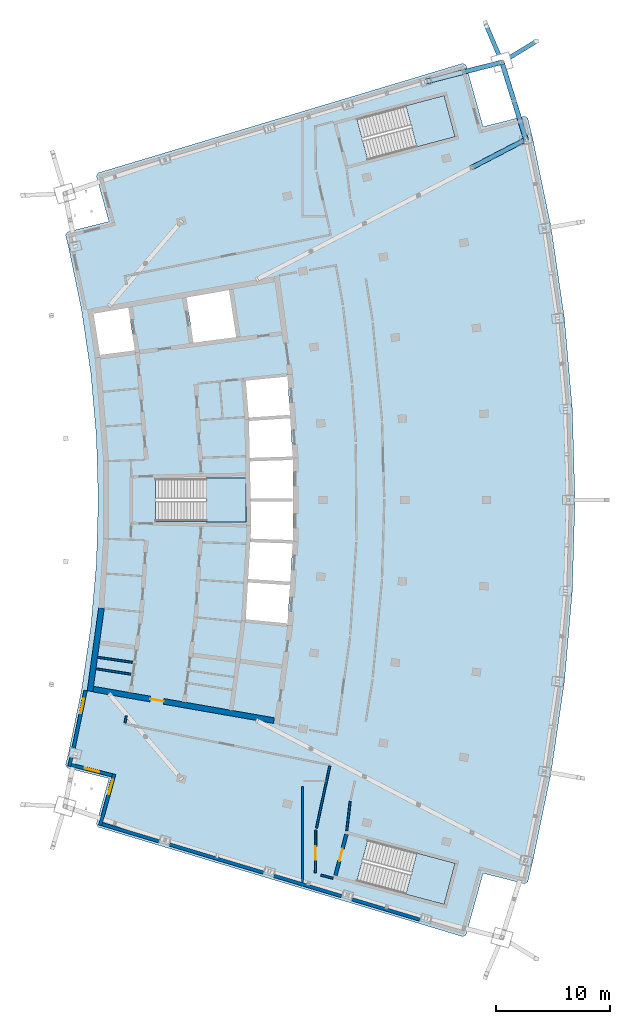
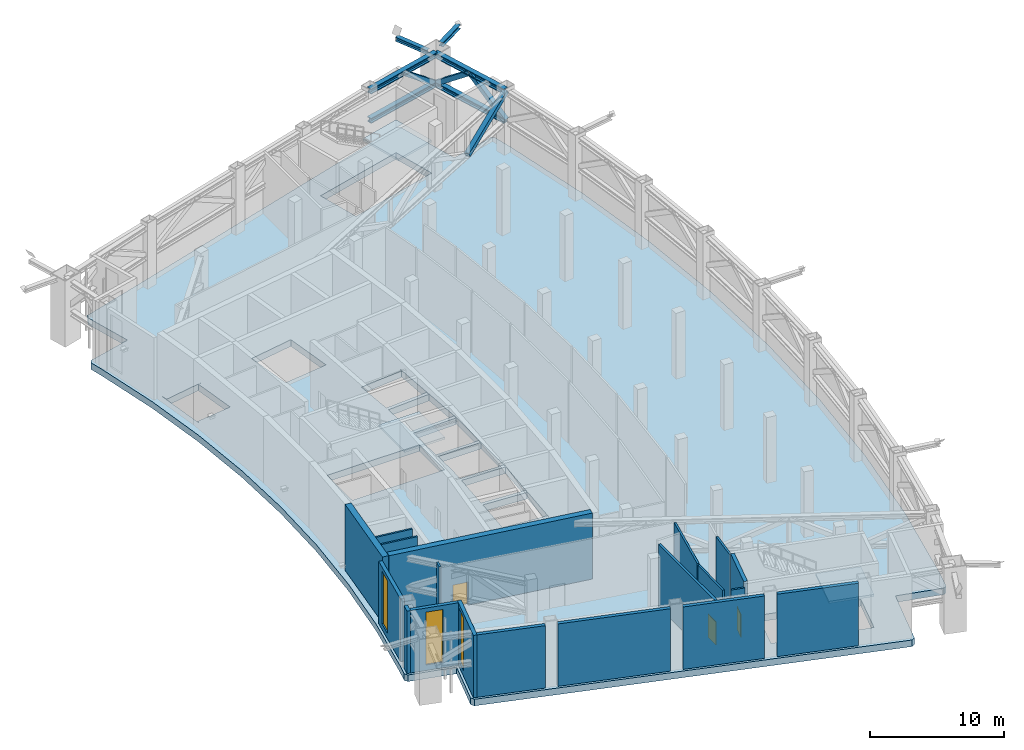
# One storey, part 13 of 23: 19 walls, 10 members, 4 slabs, 3 doors, 3 windows, 6 openings, 3 elements without a shape of their own.
"""IFC4 building model written with IfcOpenShell, lengths in metres."""

from ifc_helpers import new_model, si_unit, direction, frame, frame_2d, origin, origin_2d, place, context, subcontext, project, spatial, polyline, rectangle, hollow_rectangle, i_section, outline, extrude, material, layer, layer_set, material_profile, profile_set, type_object, element, fill, aggregate, save


model = new_model("IFC4")

# Units and contexts
model_context = context("Model", 3, precision=1e-05, world=origin(), true_north=direction((0.0, 1.0)))
body_context = subcontext(model_context, "Body", "Model", "MODEL_VIEW")
ifc_project = project(units=[si_unit("LENGTHUNIT", "METRE"), si_unit("AREAUNIT", "SQUARE_METRE"), si_unit("VOLUMEUNIT", "CUBIC_METRE"), si_unit("PLANEANGLEUNIT", "RADIAN"), si_unit("MASSUNIT", "GRAM", prefix="KILO")], contexts=[model_context])

# Site, building, storey
site_placement = place(None, origin())
site = spatial("IfcSite", under=ifc_project, at=site_placement, CompositionType="ELEMENT")
building_placement = place(site_placement, origin())
building = spatial("IfcBuilding", under=site, at=building_placement, Name="Alderwake Tower", CompositionType="ELEMENT")
storey_placement = place(building_placement, frame((0.0, 0.0, 239.60009765625)))
storey = spatial("IfcBuildingStorey", under=building, at=storey_placement, Name="L59", CompositionType="ELEMENT", Elevation=239.60009765625)

# Members
ifc_material_1 = material(Name="Steel ASTM A992 Grade 50", Category="steel")
ifc_material_profile_1 = material_profile(ifc_material_1, i_section(OverallWidth=0.42138671875, OverallDepth=0.464599609375, WebThickness=0.044921875, FlangeThickness=0.072265625, at=origin_2d()), Name="W14X398")
ifc_profile_set_1 = profile_set([ifc_material_profile_1], Name="Steel ASTM A992 Grade 50")
member_type_1 = type_object("IfcMemberType", Name="Belt truss chord W14X398", PredefinedType="CHORD", material=ifc_profile_set_1)
for number, where, z_axis, x_axis, name in (
    (1, (53.676513671875, 92.77001953125, 5.447509765625), (-0.29684399512, 0.954925988002, 0.0), (-0.954925988002, -0.29684399512, 0.0), "Belt truss chord BT59F11.T"),
    (2, (53.676513671875, 92.77001953125, 2.7822265625), (-0.29684399512, 0.954925988002, 0.0), (-0.954925988002, -0.29684399512, 0.0), "Belt truss chord BT59F11.B"),
):
    element("IfcMember", number, at=place(storey_placement, frame(where, z_axis=z_axis, x_axis=x_axis)), inside=storey, type_object=member_type_1, Name=name, PredefinedType="CHORD", context=body_context, shape_type="SweptSolid", body=[
        extrude(i_section(OverallWidth=0.42138671875, OverallDepth=0.464599609375, WebThickness=0.044921875, FlangeThickness=0.072265625, at=origin_2d()), origin(), (0.0, 0.0, 1.0), 7.112548828125),
    ])
for number, where, z_axis, x_axis, name in (
    (3, (44.872314453125, 97.86376953125, 5.447509765625), (0.969283770073, 0.245945061087, 0.0), (-0.245945061087, 0.969283770073, 0.0), "Belt truss chord BT59E124.T"),
    (4, (44.872314453125, 97.86376953125, 2.7822265625), (0.969283770073, 0.245945061087, 0.0), (-0.245945061087, 0.969283770073, 0.0), "Belt truss chord BT59E124.B"),
):
    element("IfcMember", number, at=place(storey_placement, frame(where, z_axis=z_axis, x_axis=x_axis)), inside=storey, type_object=member_type_1, Name=name, PredefinedType="CHORD", context=body_context, shape_type="SweptSolid", body=[
        extrude(i_section(OverallWidth=0.42138671875, OverallDepth=0.464599609375, WebThickness=0.044921875, FlangeThickness=0.072265625, at=origin_2d()), origin(), (0.0, 0.0, 1.0), 6.905029296875),
    ])
ifc_material_2 = material(Name="Steel ASTM A500 Grade C", Category="steel")
ifc_material_profile_2 = material_profile(ifc_material_2, hollow_rectangle(XDim=0.406494140625, YDim=0.406494140625, WallThickness=0.014892578125, at=origin_2d()), Name="HSS16X16X5/8")
ifc_profile_set_2 = profile_set([ifc_material_profile_2], Name="Steel ASTM A500 Grade C")
member_type_2 = type_object("IfcMemberType", Name="Belt truss diagonal HSS16X16X5/8", PredefinedType="BRACE", material=ifc_profile_set_2)
for number, where, z_axis, x_axis, name in (
    (5, (53.676513671875, 92.77001953125, 2.7822265625), (-0.237537256164, 0.76414043322, 0.599721143743), (-0.954925988002, -0.29684399512, 0.0), "Belt truss diagonal BT59F11.D1"),
    (6, (51.565185546875, 99.56201171875, 2.7822265625), (0.237537256164, -0.76414043322, 0.599721143743), (0.954925988002, 0.29684399512, 0.0), "Belt truss diagonal BT59F11.D2"),
):
    element("IfcMember", number, at=place(storey_placement, frame(where, z_axis=z_axis, x_axis=x_axis)), inside=storey, type_object=member_type_2, Name=name, PredefinedType="BRACE", context=body_context, shape_type="SweptSolid", body=[
        extrude(hollow_rectangle(XDim=0.406494140625, YDim=0.406494140625, WallThickness=0.014892578125, at=origin_2d()), origin(), (0.0, 0.0, 1.0), 4.444091796875),
    ])
member_1_placement = place(storey_placement, frame((51.565185546875, 99.56201171875, 2.7822265625), z_axis=(-0.767253209672, -0.194682035693, 0.611082168964), x_axis=(0.245945061087, -0.969283770073, 0.0)))
element("IfcMember", 7, at=member_1_placement, inside=storey, type_object=member_type_2, Name="Belt truss diagonal BT59E124.D2", PredefinedType="BRACE", context=body_context, shape_type="SweptSolid", body=[
    extrude(hollow_rectangle(XDim=0.406494140625, YDim=0.406494140625, WallThickness=0.014892578125, at=origin_2d()), origin(), (0.0, 0.0, 1.0), 4.361572265625),
])
ifc_material_3 = material(Name="Steel ASTM A992 Grade 50", Category="steel")
ifc_material_profile_3 = material_profile(ifc_material_3, i_section(OverallWidth=0.3740234375, OverallDepth=0.372314453125, WebThickness=0.016357421875, FlangeThickness=0.026123046875, at=origin_2d()), Name="W14X132")
ifc_profile_set_3 = profile_set([ifc_material_profile_3], Name="Steel ASTM A992 Grade 50")
member_type_3 = type_object("IfcMemberType", Name="Brace node stub W14X132", PredefinedType="MEMBER", material=ifc_profile_set_3)
member_2_placement = place(storey_placement, frame((52.27392578125, 99.993896484375, 5.793701171875), z_axis=(0.853983755335, 0.52029966906, 0.0), x_axis=(-0.52029966906, 0.853983755335, 0.0)))
element("IfcMember", 8, at=member_2_placement, inside=storey, type_object=member_type_3, Name="Brace node stub BS.FR12-C5.2456", PredefinedType="MEMBER", context=body_context, shape_type="SweptSolid", body=[
    extrude(i_section(OverallWidth=0.3740234375, OverallDepth=0.372314453125, WebThickness=0.016357421875, FlangeThickness=0.026123046875, at=origin_2d()), origin(), (0.0, 0.0, 1.0), 2.722412109375),
])
member_3_placement = place(storey_placement, frame((51.28955078125, 100.2109375, 5.34375), z_axis=(-0.390904735718, 0.920431142234, 0.0), x_axis=(-0.920431142234, -0.390904735718, 0.0)))
element("IfcMember", 9, at=member_3_placement, inside=storey, type_object=member_type_3, Name="Brace node stub BS.NR12-C5.2456", PredefinedType="MEMBER", context=body_context, shape_type="SweptSolid", body=[
    extrude(i_section(OverallWidth=0.3740234375, OverallDepth=0.372314453125, WebThickness=0.016357421875, FlangeThickness=0.026123046875, at=origin_2d()), origin(), (0.0, 0.0, 1.0), 2.914794921875),
])
ifc_material_4 = material(Name="Steel ASTM A500 Grade C", Category="steel")
ifc_material_profile_4 = material_profile(ifc_material_4, hollow_rectangle(XDim=0.406494140625, YDim=0.406494140625, WallThickness=0.014892578125, at=origin_2d()), Name="HSS16X16X5/8")
ifc_profile_set_4 = profile_set([ifc_material_profile_4], Name="Steel ASTM A500 Grade C")
member_type_4 = type_object("IfcMemberType", Name="Outrigger truss diagonal HSS16X16X5/8", PredefinedType="BRACE", material=ifc_profile_set_4)
member_4_placement = place(storey_placement, frame((48.940185546875, 90.305419921875, 2.7822265625), z_axis=(0.793690127846, 0.413005249516, 0.446634800293), x_axis=(-0.461604672137, 0.887085749328, 0.0)))
element("IfcMember", 10, at=member_4_placement, inside=storey, type_object=member_type_4, Name="Outrigger truss diagonal OR59NF.D5", PredefinedType="BRACE", context=body_context, shape_type="SweptSolid", body=[
    extrude(hollow_rectangle(XDim=0.406494140625, YDim=0.406494140625, WallThickness=0.014892578125, at=origin_2d()), origin(), (0.0, 0.0, 1.0), 5.967529296875),
])

# Slab
ifc_material_5 = material(Name="Concrete C50/60", Category="concrete")
ifc_layer_1 = layer(ifc_material_5, 0.60009765625)
ifc_layer_set_1 = layer_set([ifc_layer_1], Name="Concrete C50/60 post-tensioned flat plate 600")
slab_type_1 = type_object("IfcSlabType", Name="Concrete C50/60 post-tensioned flat plate 600", PredefinedType="FLOOR", material=ifc_layer_set_1)
slab_1_placement = place(storey_placement, frame((0.0, 0.0, -0.60009765625)))
element("IfcSlab", 11, at=slab_1_placement, inside=storey, type_object=slab_type_1, Name="Floor slab L59", PredefinedType="FLOOR", context=body_context, shape_type="SweptSolid", body=[
    extrude(outline(polyline([(16.942626953125, 36.46142578125), (13.287841796875, 37.38671875), (13.11962890625, 37.66650390625), (13.3984375, 38.802734375), (14.53369140625, 44.28564453125), (15.347412109375, 49.825439453125), (15.836669921875, 55.4033203125), (16.0, 61.0), (15.836669921875, 66.5966796875), (15.347412109375, 72.174560546875), (14.53369140625, 77.71435546875), (13.3984375, 83.197265625), (13.11962890625, 84.33349609375), (13.287841796875, 84.61328125), (16.942626953125, 85.53857421875), (15.837890625, 89.533203125), (15.996826171875, 89.821044921875), (48.120361328125, 99.465576171875), (48.40185546875, 99.309814453125), (49.903076171875, 93.881591796875), (53.557861328125, 94.806640625), (53.835693359375, 94.6396484375), (54.26025390625, 92.90869140625), (55.892333984375, 85.02685546875), (57.06201171875, 77.0634765625), (57.765380859375, 69.04541015625), (58.0, 61.0), (57.765380859375, 52.95458984375), (57.06201171875, 44.9365234375), (55.892333984375, 36.97314453125), (54.26025390625, 29.09130859375), (53.835693359375, 27.3603515625), (53.557861328125, 27.193359375), (49.903076171875, 28.118408203125), (48.40185546875, 22.690185546875), (48.120361328125, 22.534423828125), (15.996826171875, 32.178955078125), (15.837890625, 32.466796875), (16.942626953125, 36.46142578125)]), holes=[polyline([(29.181396484375, 53.739990234375), (28.9853515625, 50.4306640625), (28.989013671875, 50.430419921875), (28.994140625, 50.485595703125), (32.646484375, 50.128173828125), (32.6318359375, 49.978759765625), (32.661865234375, 49.975830078125), (32.90087890625, 53.64794921875), (33.139892578125, 57.320068359375), (33.139892578125, 61.0), (33.139892578125, 64.679931640625), (32.90087890625, 68.35205078125), (32.661865234375, 72.024169921875), (32.6318359375, 72.021240234375), (32.646484375, 71.871826171875), (28.993896484375, 71.514404296875), (29.256591796875, 68.264892578125), (32.861083984375, 68.499755859375), (32.87109375, 68.35009765625), (32.880615234375, 68.200439453125), (29.278564453125, 67.9658203125), (29.274169921875, 68.032470703125), (29.2705078125, 68.0322265625), (29.34423828125, 64.70654296875), (33.105224609375, 64.828857421875), (33.110107421875, 64.678955078125), (33.114990234375, 64.529052734375), (29.350830078125, 64.406494140625), (29.4228515625, 61.14990234375), (33.110107421875, 61.14990234375), (33.110107421875, 61.0), (33.110107421875, 60.85009765625), (29.429443359375, 60.85009765625), (29.4765625, 58.72314453125), (29.409423828125, 57.591552734375), (33.114990234375, 57.470947265625), (33.110107421875, 57.321044921875), (33.105224609375, 57.171142578125), (29.395751953125, 57.291748046875), (29.39599609375, 57.3017578125), (29.392333984375, 57.302001953125), (29.198974609375, 54.039306640625), (32.880615234375, 53.799560546875), (32.87109375, 53.64990234375), (32.861083984375, 53.500244140625), (29.181396484375, 53.739990234375)]), polyline([(29.0, 62.875), (21.050048828125, 62.875), (21.050048828125, 59.125), (29.0, 59.125), (29.0, 62.875)]), polyline([(15.626220703125, 77.418212890625), (15.54345703125, 77.892822265625), (15.437744140625, 77.874267578125), (15.4384765625, 77.87060546875), (15.519287109375, 77.8828125), (16.180908203125, 73.579833984375), (16.210693359375, 73.583740234375), (16.184814453125, 73.781982421875), (19.224609375, 74.1796875), (18.656005859375, 77.940673828125), (18.852294921875, 77.97021484375), (18.8505859375, 77.980224609375), (15.626220703125, 77.418212890625)]), polyline([(28.152587890625, 75.347412109375), (27.521240234375, 79.491943359375), (23.77783203125, 78.83935546875), (24.384033203125, 74.858642578125), (24.3642578125, 74.855712890625), (24.36474609375, 74.851806640625), (28.152587890625, 75.347412109375)]), polyline([(46.47119140625, 25.373291015625), (47.436279296875, 28.996826171875), (39.754150390625, 31.043212890625), (38.7890625, 27.41943359375), (46.47119140625, 25.373291015625)]), polyline([(47.436279296875, 93.003173828125), (46.47119140625, 96.626708984375), (38.7890625, 94.58056640625), (39.754150390625, 90.956787109375), (47.436279296875, 93.003173828125)])]), origin(), (0.0, 0.0, 1.0), 0.60009765625),
])

# Stair, slab
ifc_material_6 = material(Name="Concrete C40/50", Category="concrete")
stair_type = type_object("IfcStairType", Name="Core exit stair", PredefinedType="HALF_TURN_STAIR", material=ifc_material_6)
stair_1_placement = place(storey_placement, origin())
stair_1 = element("IfcStair", 12, at=stair_1_placement, inside=storey, type_object=stair_type, Name="L59 Exit Stair B", PredefinedType="HALF_TURN_STAIR")
ifc_material_7 = material(Name="Concrete C40/50", Category="concrete")
ifc_layer_2 = layer(ifc_material_7, 0.199951171875)
ifc_layer_set_2 = layer_set([ifc_layer_2], Name="Core stair landing 200")
slab_type_2 = type_object("IfcSlabType", Name="Core stair landing 200", PredefinedType="LANDING", material=ifc_layer_set_2)
slab_2_placement = place(storey_placement, frame((0.0, 0.0, 2.7998046875)))
slab_2 = element("IfcSlab", 13, at=slab_2_placement, type_object=slab_type_2, Name="ST-B landing 1", PredefinedType="LANDING", context=body_context, shape_type="SweptSolid", body=[
    extrude(outline(polyline([(25.510009765625, 59.074951171875), (29.0, 59.074951171875), (29.0, 62.925048828125), (25.510009765625, 62.925048828125), (25.510009765625, 59.074951171875)])), origin(), (0.0, 0.0, 1.0), 0.2001953125),
])
aggregate(stair_1, [slab_2])

stair_2_placement = place(storey_placement, origin())
stair_2 = element("IfcStair", 14, at=stair_2_placement, inside=storey, type_object=stair_type, Name="L59 Exit Stair A", PredefinedType="HALF_TURN_STAIR")
slab_3_placement = place(storey_placement, frame((0.0, 0.0, 2.7998046875)))
slab_3 = element("IfcSlab", 15, at=slab_3_placement, type_object=slab_type_2, Name="ST-A landing 1", PredefinedType="LANDING", context=body_context, shape_type="SweptSolid", body=[
    extrude(outline(polyline([(44.06396484375, 92.104736328125), (47.436279296875, 93.003173828125), (46.47119140625, 96.626708984375), (43.098876953125, 95.728515625), (44.06396484375, 92.104736328125)])), origin(), (0.0, 0.0, 1.0), 0.2001953125),
])
aggregate(stair_2, [slab_3])

stair_3_placement = place(storey_placement, origin())
stair_3 = element("IfcStair", 16, at=stair_3_placement, inside=storey, type_object=stair_type, Name="L59 Exit Stair C", PredefinedType="HALF_TURN_STAIR")
slab_4_placement = place(storey_placement, frame((0.0, 0.0, 2.7998046875)))
slab_4 = element("IfcSlab", 17, at=slab_4_placement, type_object=slab_type_2, Name="ST-C landing 1", PredefinedType="LANDING", context=body_context, shape_type="SweptSolid", body=[
    extrude(outline(polyline([(43.098876953125, 26.271484375), (46.47119140625, 25.373291015625), (47.436279296875, 28.996826171875), (44.06396484375, 29.895263671875), (43.098876953125, 26.271484375)])), origin(), (0.0, 0.0, 1.0), 0.2001953125),
])
aggregate(stair_3, [slab_4])

# Walls
ifc_material_8 = material(Name="Gypsum shaft wall system, rated")
ifc_layer_3 = layer(ifc_material_8, 0.14990234375)
ifc_layer_set_3 = layer_set([ifc_layer_3], Name="Core room partition 150")
wall_type_1 = type_object("IfcWallType", Name="Core room partition 150", PredefinedType="PARTITIONING", material=ifc_layer_set_3)
wall_1_placement = place(storey_placement, frame((15.826416015625, 46.128662109375, 0.0), z_axis=(0.0, 0.0, 1.0), x_axis=(0.988169349882, -0.153366671587, 0.0)))
element("IfcWall", 18, at=wall_1_placement, inside=storey, type_object=wall_type_1, Name="CW/L59/PR-161_+0", PredefinedType="PARTITIONING", context=body_context, shape_type="SweptSolid", body=[
    extrude(rectangle(XDim=3.081787109375, YDim=0.14990234375, at=frame_2d((1.541015625, 0.0))), origin(), (0.0, 0.0, 1.0), 5.679931640625),
])
wall_2_placement = place(storey_placement, frame((15.965576171875, 47.13916015625, 0.0), z_axis=(0.0, 0.0, 1.0), x_axis=(0.989737455728, -0.142897756207, 0.0)))
element("IfcWall", 19, at=wall_2_placement, inside=storey, type_object=wall_type_1, Name="CW/L59/PR-150_+0", PredefinedType="PARTITIONING", context=body_context, shape_type="SweptSolid", body=[
    extrude(rectangle(XDim=3.07861328125, YDim=0.14990234375, at=frame_2d((1.539306640625, 0.0))), origin(), (0.0, 0.0, 1.0), 5.679931640625),
])
ifc_material_9 = material(Name="Concrete C70/85", Category="concrete")
ifc_layer_4 = layer(ifc_material_9, 0.5)
ifc_layer_set_4 = layer_set([ifc_layer_4], Name="Core wall outer 500 C70-85")
wall_type_2 = type_object("IfcWallType", Name="Core wall outer 500 C70-85", PredefinedType="SHEAR", material=ifc_layer_set_4)
wall_3_placement = place(storey_placement, frame((15.272216796875, 44.155029296875, 0.0), z_axis=(0.0, 0.0, 1.0), x_axis=(0.13632182908, 0.990664604655, 0.0)))
element("IfcWall", 20, at=wall_3_placement, inside=storey, type_object=wall_type_2, Name="Core wall CW.028", PredefinedType="SHEAR", context=body_context, shape_type="SweptSolid", body=[
    extrude(rectangle(XDim=7.408935546875, YDim=0.5, at=frame_2d((3.70458984375, 0.0))), origin(), (0.0, 0.0, 1.0), 6.0),
])

# Wall, opening, door
wall_4_placement = place(storey_placement, frame((31.47802734375, 41.564453125, 0.0), z_axis=(0.0, 0.0, 1.0), x_axis=(-0.985140274783, 0.171751678306, 0.0)))
wall_4 = element("IfcWall", 21, at=wall_4_placement, inside=storey, type_object=wall_type_2, Name="Core wall CW.072", PredefinedType="SHEAR", context=body_context, shape_type="SweptSolid", body=[
    extrude(rectangle(XDim=16.137939453125, YDim=0.5, at=frame_2d((8.06884765625, 0.0))), origin(), (0.0, 0.0, 1.0), 6.0),
])
opening_1_placement = place(wall_4_placement, frame((9.859619140625, 0.0, 0.0)))
opening_1 = element("IfcOpeningElement", 22, at=opening_1_placement, cuts=wall_4, Name="Opening C003", PredefinedType="OPENING", context=body_context, shape_type="SweptSolid", body=[
    extrude(rectangle(XDim=1.199951171875, YDim=2.10009765625, at=frame_2d((0.60009765625, 1.050048828125))), frame((0.0, 0.260009765625, 0.0), z_axis=(0.0, -1.0, 0.0), x_axis=(1.0, 0.0, 0.0)), (0.0, 0.0, 1.0), 0.52001953125),
])
ifc_material_10 = material(Name="Steel-framed fire door leaf", Category="steel")
door_type_1 = type_object("IfcDoorType", Name="Core lobby exit door 1200 fire-rated", OperationType="SINGLE_SWING_LEFT", PredefinedType="DOOR", material=ifc_material_10)
door_1_placement = place(opening_1_placement, origin())
door_1 = element("IfcDoor", 23, at=door_1_placement, inside=storey, type_object=door_type_1, Name="Lobby door", OperationType="SINGLE_SWING_LEFT", OverallHeight=2.10009765625, OverallWidth=1.199951171875, PredefinedType="DOOR", context=body_context, shape_type="SweptSolid", body=[
    extrude(rectangle(XDim=1.199951171875, YDim=2.10009765625, at=frame_2d((0.60009765625, 1.050048828125))), frame((0.0, 0.02490234375, 0.0), z_axis=(0.0, -1.0, 0.0), x_axis=(1.0, 0.0, 0.0)), (0.0, 0.0, 1.0), 0.050048828125),
])
fill(opening_1, door_1)

ifc_material_11 = material(Name="Concrete C70/85", Category="concrete")
ifc_layer_5 = layer(ifc_material_11, 0.300048828125)
ifc_layer_set_5 = layer_set([ifc_layer_5], Name="Core wall stair enclosure 300 C70-85")
wall_type_3 = type_object("IfcWallType", Name="Core wall stair enclosure 300 C70-85", PredefinedType="SHEAR", material=ifc_layer_set_5)
wall_5_placement = place(storey_placement, frame((36.89501953125, 27.923828125, 0.0), z_axis=(0.0, 0.0, 1.0), x_axis=(0.257350630826, 0.966318090907, 0.0)))
wall_5 = element("IfcWall", 24, at=wall_5_placement, inside=storey, type_object=wall_type_3, Name="Core wall CW.087", PredefinedType="SHEAR", context=body_context, shape_type="SweptSolid", body=[
    extrude(rectangle(XDim=3.75, YDim=0.300048828125, at=frame_2d((1.875, 0.0))), origin(), (0.0, 0.0, 1.0), 6.0),
])
opening_2_placement = place(wall_5_placement, frame((1.324951171875, 0.0, 0.0)))
opening_2 = element("IfcOpeningElement", 25, at=opening_2_placement, cuts=wall_5, Name="Opening C065", PredefinedType="OPENING", context=body_context, shape_type="SweptSolid", body=[
    extrude(rectangle(XDim=1.10009765625, YDim=2.10009765625, at=frame_2d((0.550048828125, 1.050048828125))), frame((0.0, 0.159912109375, 0.0), z_axis=(0.0, -1.0, 0.0), x_axis=(1.0, 0.0, 0.0)), (0.0, 0.0, 1.0), 0.320068359375),
])
ifc_material_12 = material(Name="Steel-framed fire door leaf", Category="steel")
door_type_2 = type_object("IfcDoorType", Name="Core stair door 1100 fire-rated", OperationType="SINGLE_SWING_LEFT", PredefinedType="DOOR", material=ifc_material_12)
door_2_placement = place(opening_2_placement, origin())
door_2 = element("IfcDoor", 26, at=door_2_placement, inside=storey, type_object=door_type_2, Name="Stair door", OperationType="SINGLE_SWING_LEFT", OverallHeight=2.10009765625, OverallWidth=1.10009765625, PredefinedType="DOOR", context=body_context, shape_type="SweptSolid", body=[
    extrude(rectangle(XDim=1.10009765625, YDim=2.10009765625, at=frame_2d((0.550048828125, 1.050048828125))), frame((0.0, 0.02490234375, 0.0), z_axis=(0.0, -1.0, 0.0), x_axis=(1.0, 0.0, 0.0)), (0.0, 0.0, 1.0), 0.050048828125),
])
fill(opening_2, door_2)

# Walls
ifc_material_13 = material(Name="Gypsum board on metal studs, rated")
ifc_layer_6 = layer(ifc_material_13, 0.159912109375)
ifc_layer_set_6 = layer_set([ifc_layer_6], Name="Corridor wall 160")
wall_type_4 = type_object("IfcWallType", Name="Corridor wall 160", PredefinedType="PARTITIONING", material=ifc_layer_set_6)
wall_6_placement = place(storey_placement, frame((18.48291015625, 42.0, 0.0), z_axis=(0.0, 0.0, 1.0), x_axis=(-0.190275126141, -0.98173080647, 0.0)))
element("IfcWall", 27, at=wall_6_placement, inside=storey, type_object=wall_type_4, Name="WL/L59/W07", PredefinedType="PARTITIONING", context=body_context, shape_type="SweptSolid", body=[
    extrude(rectangle(XDim=0.659423828125, YDim=0.159912109375, at=frame_2d((0.32958984375, 0.0))), origin(), (0.0, 0.0, 1.0), 5.679931640625),
])
wall_7_placement = place(storey_placement, frame((35.62939453125, 27.94921875, 0.0), z_axis=(0.0, 0.0, 1.0), x_axis=(0.966456170962, -0.256831597762, 0.0)))
element("IfcWall", 28, at=wall_7_placement, inside=storey, type_object=wall_type_4, Name="WL/L59/W09", PredefinedType="PARTITIONING", context=body_context, shape_type="SweptSolid", body=[
    extrude(rectangle(XDim=1.078857421875, YDim=0.159912109375, at=frame_2d((0.53955078125, 0.0))), origin(), (0.0, 0.0, 1.0), 5.679931640625),
])

# Wall, opening, door
wall_8_placement = place(storey_placement, frame((35.169921875, 31.927978515625, 0.0), z_axis=(0.0, 0.0, 1.0), x_axis=(-0.011160164067, -0.99993772343, 0.0)))
wall_8 = element("IfcWall", 29, at=wall_8_placement, inside=storey, type_object=wall_type_4, Name="WL/L59/W11", PredefinedType="PARTITIONING", context=body_context, shape_type="SweptSolid", body=[
    extrude(rectangle(XDim=3.7626953125, YDim=0.159912109375, at=frame_2d((1.88134765625, 0.0))), origin(), (0.0, 0.0, 1.0), 5.679931640625),
])
opening_3_placement = place(wall_8_placement, frame((1.4296875, 0.0, 0.0)))
opening_3 = element("IfcOpeningElement", 30, at=opening_3_placement, cuts=wall_8, Name="Opening L59-01", PredefinedType="OPENING", context=body_context, shape_type="SweptSolid", body=[
    extrude(rectangle(XDim=1.199951171875, YDim=2.10009765625, at=frame_2d((0.60009765625, 1.050048828125))), frame((0.0, 0.08984375, 0.0), z_axis=(0.0, -1.0, 0.0), x_axis=(1.0, 0.0, 0.0)), (0.0, 0.0, 1.0), 0.179931640625),
])
ifc_material_14 = material(Name="Steel door leaf in steel frame", Category="steel")
door_type_3 = type_object("IfcDoorType", Name="Plant room door 1200 steel", OperationType="SINGLE_SWING_LEFT", PredefinedType="DOOR", material=ifc_material_14)
door_3_placement = place(opening_3_placement, origin())
door_3 = element("IfcDoor", 31, at=door_3_placement, inside=storey, type_object=door_type_3, Name="DR/L59/01", OperationType="SINGLE_SWING_LEFT", OverallHeight=2.10009765625, OverallWidth=1.199951171875, PredefinedType="DOOR", context=body_context, shape_type="SweptSolid", body=[
    extrude(rectangle(XDim=1.199951171875, YDim=2.10009765625, at=frame_2d((0.60009765625, 1.050048828125))), frame((0.0, 0.02490234375, 0.0), z_axis=(0.0, -1.0, 0.0), x_axis=(1.0, 0.0, 0.0)), (0.0, 0.0, 1.0), 0.050048828125),
])
fill(opening_3, door_3)

# Walls
wall_9_placement = place(storey_placement, frame((36.397216796875, 37.57177734375, 0.0), z_axis=(0.0, 0.0, 1.0), x_axis=(-0.209818525572, -0.97774034709, 0.0)))
element("IfcWall", 32, at=wall_9_placement, inside=storey, type_object=wall_type_4, Name="WL/L59/W14", PredefinedType="PARTITIONING", context=body_context, shape_type="SweptSolid", body=[
    extrude(rectangle(XDim=5.58740234375, YDim=0.159912109375, at=frame_2d((2.793701171875, 0.0))), origin(), (0.0, 0.0, 1.0), 5.679931640625),
])
wall_10_placement = place(storey_placement, frame((37.89111328125, 31.86083984375, 0.0), z_axis=(0.0, 0.0, 1.0), x_axis=(0.116459178177, 0.993195479157, 0.0)))
element("IfcWall", 33, at=wall_10_placement, inside=storey, type_object=wall_type_4, Name="WL/L59/W21", PredefinedType="PARTITIONING", context=body_context, shape_type="SweptSolid", body=[
    extrude(rectangle(XDim=2.59521484375, YDim=0.159912109375, at=frame_2d((1.297607421875, 0.0))), origin(), (0.0, 0.0, 1.0), 5.679931640625),
])
ifc_material_15 = material(Name="Bronze metal cladding on lightweight framing")
ifc_layer_7 = layer(ifc_material_15, 0.300048828125)
ifc_layer_set_7 = layer_set([ifc_layer_7], Name="External wall EW3 plant enclosure")
wall_type_5 = type_object("IfcWallType", Name="External wall EW3 plant enclosure", PredefinedType="SOLIDWALL", material=ifc_layer_set_7)
wall_11_placement = place(storey_placement, frame((13.63720703125, 38.30712890625, 0.0), z_axis=(0.0, 0.0, 1.0), x_axis=(-0.23817684901, -0.971221801957, 0.0)))
element("IfcWall", 34, at=wall_11_placement, inside=storey, type_object=wall_type_5, Name="External wall 1", PredefinedType="SOLIDWALL", context=body_context, shape_type="SweptSolid", body=[
    extrude(rectangle(XDim=0.778076171875, YDim=0.300048828125, at=frame_2d((0.38916015625, 0.0))), origin(), (0.0, 0.0, 1.0), 5.679931640625),
])

# Wall, opening, window
wall_12_placement = place(storey_placement, frame((13.633056640625, 37.660400390625, 0.0), z_axis=(0.0, 0.0, 1.0), x_axis=(0.969417366605, -0.245417948254, 0.0)))
wall_12 = element("IfcWall", 35, at=wall_12_placement, inside=storey, type_object=wall_type_5, Name="External wall 2", PredefinedType="SOLIDWALL", context=body_context, shape_type="SweptSolid", body=[
    extrude(rectangle(XDim=3.70556640625, YDim=0.300048828125, at=frame_2d((1.852783203125, 0.0))), origin(), (0.0, 0.0, 1.0), 5.679931640625),
])
opening_4_placement = place(wall_12_placement, frame((1.202880859375, 0.0, 0.5)))
opening_4 = element("IfcOpeningElement", 36, at=opening_4_placement, cuts=wall_12, Name="Opening LV1", PredefinedType="OPENING", context=body_context, shape_type="SweptSolid", body=[
    extrude(rectangle(XDim=1.300048828125, YDim=4.800048828125, at=frame_2d((0.64990234375, 2.39990234375))), frame((0.0, 0.159912109375, 0.0), z_axis=(0.0, -1.0, 0.0), x_axis=(1.0, 0.0, 0.0)), (0.0, 0.0, 1.0), 0.320068359375),
])
ifc_material_16 = material(Name="Bronze anodised aluminium louvre", Category="aluminium")
window_type = type_object("IfcWindowType", Name="Louvre LV1 plant floor", PartitioningType="SINGLE_PANEL", PredefinedType="USERDEFINED", material=ifc_material_16)
window_1_placement = place(opening_4_placement, origin())
window_1 = element("IfcWindow", 37, at=window_1_placement, inside=storey, type_object=window_type, Name="Louvre LV1 plant floor", ObjectType="LOUVRE", OverallHeight=4.800048828125, OverallWidth=1.300048828125, PartitioningType="SINGLE_PANEL", PredefinedType="USERDEFINED", context=body_context, shape_type="SweptSolid", body=[
    extrude(rectangle(XDim=1.300048828125, YDim=4.800048828125, at=frame_2d((0.64990234375, 2.39990234375))), frame((0.0, 0.030029296875, 0.0), z_axis=(0.0, -1.0, 0.0), x_axis=(1.0, 0.0, 0.0)), (0.0, 0.0, 1.0), 0.06005859375),
])
fill(opening_4, window_1)

wall_13_placement = place(storey_placement, frame((17.410400390625, 36.85888671875, 0.0), z_axis=(0.0, 0.0, 1.0), x_axis=(-0.264592640785, -0.96436027212, 0.0)))
wall_13 = element("IfcWall", 38, at=wall_13_placement, inside=storey, type_object=wall_type_5, Name="External wall 3", PredefinedType="SOLIDWALL", context=body_context, shape_type="SweptSolid", body=[
    extrude(rectangle(XDim=4.690185546875, YDim=0.300048828125, at=frame_2d((2.34521484375, 0.0))), origin(), (0.0, 0.0, 1.0), 5.679931640625),
])
opening_5_placement = place(wall_13_placement, frame((0.5224609375, 0.0, 0.5)))
opening_5 = element("IfcOpeningElement", 39, at=opening_5_placement, cuts=wall_13, Name="Opening LV1", PredefinedType="OPENING", context=body_context, shape_type="SweptSolid", body=[
    extrude(rectangle(XDim=1.300048828125, YDim=4.800048828125, at=frame_2d((0.64990234375, 2.39990234375))), frame((0.0, 0.159912109375, 0.0), z_axis=(0.0, -1.0, 0.0), x_axis=(1.0, 0.0, 0.0)), (0.0, 0.0, 1.0), 0.320068359375),
])
window_2_placement = place(opening_5_placement, origin())
window_2 = element("IfcWindow", 40, at=window_2_placement, inside=storey, type_object=window_type, Name="Louvre LV1 plant floor", ObjectType="LOUVRE", OverallHeight=4.800048828125, OverallWidth=1.300048828125, PartitioningType="SINGLE_PANEL", PredefinedType="USERDEFINED", context=body_context, shape_type="SweptSolid", body=[
    extrude(rectangle(XDim=1.300048828125, YDim=4.800048828125, at=frame_2d((0.64990234375, 2.39990234375))), frame((0.0, 0.030029296875, 0.0), z_axis=(0.0, -1.0, 0.0), x_axis=(1.0, 0.0, 0.0)), (0.0, 0.0, 1.0), 0.06005859375),
])
fill(opening_5, window_2)

# Walls
wall_14_placement = place(storey_placement, frame((16.352783203125, 32.4375, 0.0), z_axis=(0.0, 0.0, 1.0), x_axis=(0.95777225046, -0.287527939944, 0.0)))
element("IfcWall", 41, at=wall_14_placement, inside=storey, type_object=wall_type_5, Name="External wall 4", PredefinedType="SOLIDWALL", context=body_context, shape_type="SweptSolid", body=[
    extrude(rectangle(XDim=5.224609375, YDim=0.300048828125, at=frame_2d((2.6123046875, 0.0))), origin(), (0.0, 0.0, 1.0), 5.679931640625),
])
wall_15_placement = place(storey_placement, frame((22.270751953125, 30.660888671875, 0.0), z_axis=(0.0, 0.0, 1.0), x_axis=(0.957767198916, -0.287544766394, 0.0)))
element("IfcWall", 42, at=wall_15_placement, inside=storey, type_object=wall_type_5, Name="External wall 5", PredefinedType="SOLIDWALL", context=body_context, shape_type="SweptSolid", body=[
    extrude(rectangle(XDim=8.64599609375, YDim=0.300048828125, at=frame_2d((4.322998046875, 0.0))), origin(), (0.0, 0.0, 1.0), 5.679931640625),
])
for number, where, z_axis, x_axis, name in (
    (43, (31.465087890625, 27.900390625, 0.0), (0.0, 0.0, 1.0), (0.95776710022, -0.287545095136, 0.0), "External wall 6"),
    (44, (38.361083984375, 25.830078125, 0.0), (0.0, 0.0, 1.0), (0.95776710022, -0.287545095136, 0.0), "External wall 7"),
):
    element("IfcWall", number, at=place(storey_placement, frame(where, z_axis=z_axis, x_axis=x_axis)), inside=storey, type_object=wall_type_5, Name=name, PredefinedType="SOLIDWALL", context=body_context, shape_type="SweptSolid", body=[
        extrude(rectangle(XDim=6.24658203125, YDim=0.300048828125, at=frame_2d((3.123291015625, 0.0))), origin(), (0.0, 0.0, 1.0), 5.679931640625),
    ])

# Wall, opening, window
wall_16_placement = place(storey_placement, frame((14.878173828125, 44.223388671875, 0.0), z_axis=(0.0, 0.0, 1.0), x_axis=(-0.202730149235, -0.979234643276, 0.0)))
wall_16 = element("IfcWall", 45, at=wall_16_placement, inside=storey, type_object=wall_type_5, Name="External wall 32", PredefinedType="SOLIDWALL", context=body_context, shape_type="SweptSolid", body=[
    extrude(rectangle(XDim=5.185546875, YDim=0.300048828125, at=frame_2d((2.5927734375, 0.0))), origin(), (0.0, 0.0, 1.0), 5.679931640625),
])
opening_6_placement = place(wall_16_placement, frame((0.75634765625, 0.0, 0.5)))
opening_6 = element("IfcOpeningElement", 46, at=opening_6_placement, cuts=wall_16, Name="Opening LV1", PredefinedType="OPENING", context=body_context, shape_type="SweptSolid", body=[
    extrude(rectangle(XDim=1.300048828125, YDim=4.800048828125, at=frame_2d((0.64990234375, 2.39990234375))), frame((0.0, 0.159912109375, 0.0), z_axis=(0.0, -1.0, 0.0), x_axis=(1.0, 0.0, 0.0)), (0.0, 0.0, 1.0), 0.320068359375),
])
window_3_placement = place(opening_6_placement, origin())
window_3 = element("IfcWindow", 47, at=window_3_placement, inside=storey, type_object=window_type, Name="Louvre LV1 plant floor", ObjectType="LOUVRE", OverallHeight=4.800048828125, OverallWidth=1.300048828125, PartitioningType="SINGLE_PANEL", PredefinedType="USERDEFINED", context=body_context, shape_type="SweptSolid", body=[
    extrude(rectangle(XDim=1.300048828125, YDim=4.800048828125, at=frame_2d((0.64990234375, 2.39990234375))), frame((0.0, 0.030029296875, 0.0), z_axis=(0.0, -1.0, 0.0), x_axis=(1.0, 0.0, 0.0)), (0.0, 0.0, 1.0), 0.06005859375),
])
fill(opening_6, window_3)

# Wall
ifc_material_17 = material(Name="Dense block masonry wall", Category="masonry")
ifc_layer_8 = layer(ifc_material_17, 0.199951171875)
ifc_layer_set_8 = layer_set([ifc_layer_8], Name="Party wall 200")
wall_type_6 = type_object("IfcWallType", Name="Party wall 200", PredefinedType="SOLIDWALL", material=ifc_layer_set_8)
wall_17_placement = place(storey_placement, frame((33.9990234375, 35.7490234375, 0.0), z_axis=(0.0, 0.0, 1.0), x_axis=(0.0, -1.0, 0.0)))
element("IfcWall", 48, at=wall_17_placement, inside=storey, type_object=wall_type_6, Name="WL/L59/W01", PredefinedType="SOLIDWALL", context=body_context, shape_type="SweptSolid", body=[
    extrude(rectangle(XDim=8.43212890625, YDim=0.199951171875, at=frame_2d((4.216064453125, 0.0))), origin(), (0.0, 0.0, 1.0), 5.679931640625),
])

save(model, "model.ifc")
